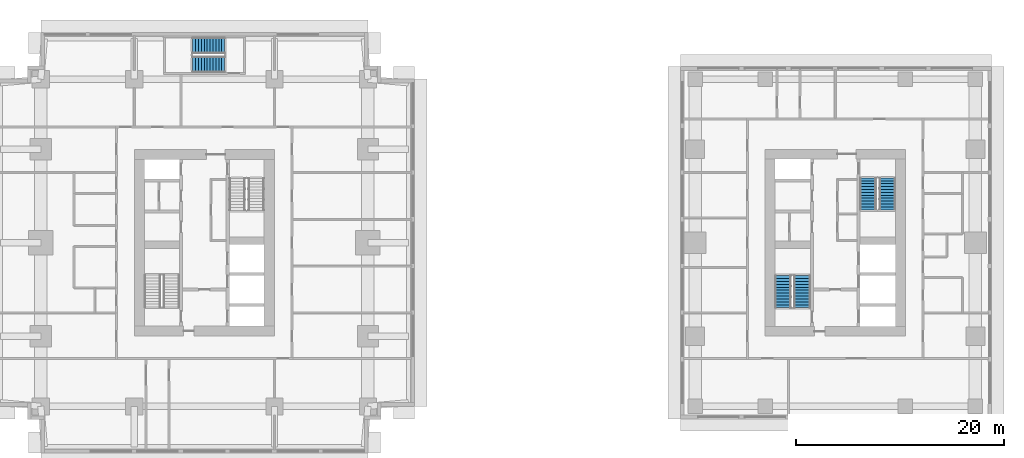
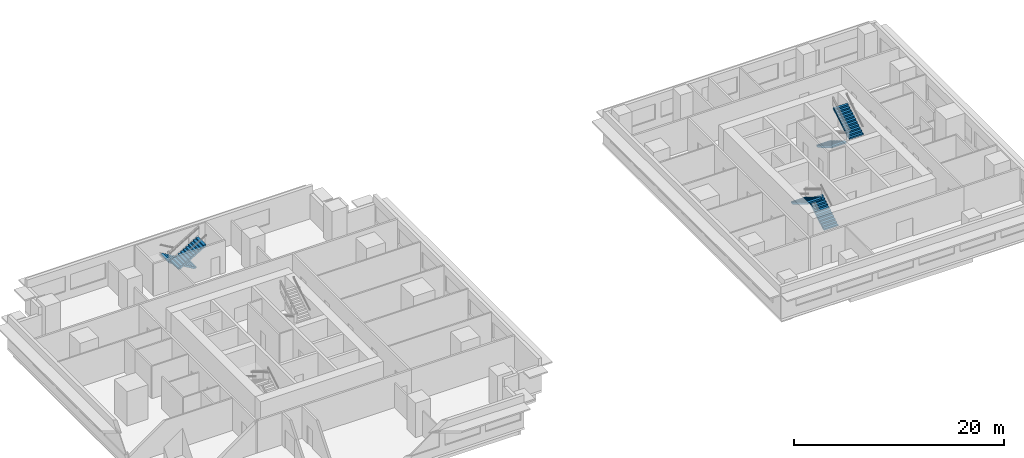
# One storey, part 9 of 11: 6 stair flights, 3 elements without a shape of their own.
"""IFC4 building model written with IfcOpenShell, lengths in metres."""

from ifc_helpers import new_model, si_unit, direction, frame, origin, place, context, subcontext, project, spatial, polyline, outline, extrude, material, type_object, element, aggregate, save


model = new_model("IFC4")

# Units and contexts
model_context = context("Model", 3, precision=1e-05, world=origin(), true_north=direction((0.0, 1.0)))
body_context = subcontext(model_context, "Body", "Model", "MODEL_VIEW")
ifc_project = project(units=[si_unit("LENGTHUNIT", "METRE"), si_unit("AREAUNIT", "SQUARE_METRE"), si_unit("VOLUMEUNIT", "CUBIC_METRE"), si_unit("PLANEANGLEUNIT", "RADIAN"), si_unit("MASSUNIT", "GRAM", prefix="KILO")], contexts=[model_context])

# Site, building, storey
site_placement = place(None, origin())
site = spatial("IfcSite", under=ifc_project, at=site_placement, CompositionType="ELEMENT")
building_placement = place(site_placement, origin())
building = spatial("IfcBuilding", under=site, at=building_placement, Name="Namib Vertical Campus", CompositionType="ELEMENT")
storey_placement = place(building_placement, frame((0.0, 0.0, 177.0)))
storey = spatial("IfcBuildingStorey", under=building, at=storey_placement, Name="L41", CompositionType="ELEMENT", Elevation=177.0)

# Stair, stair flights
ifc_material_1 = material(Name="Concrete C40/50 precast", Category="concrete")
stair_type_1 = type_object("IfcStairType", Name="Exit stair 4000 rise 24 risers 3350 wide", PredefinedType="HALF_TURN_STAIR", material=ifc_material_1)
stair_1_placement = place(storey_placement, origin())
stair_1 = element("IfcStair", 1, at=stair_1_placement, inside=storey, type_object=stair_type_1, Name="Exit stair A-S3 L41", PredefinedType="HALF_TURN_STAIR")
ifc_material_2 = material(Name="Concrete C40/50 precast", Category="concrete")
stair_flight_type_1 = type_object("IfcStairFlightType", Name="Stair flight 12 risers 167 1525 wide", PredefinedType="STRAIGHT", material=ifc_material_2)
stair_flight_1_placement = place(storey_placement, frame((22.199951171875, 39.237548828125, 0.0), z_axis=(0.0, 0.0, 1.0), x_axis=(-1.0, 0.0, 0.0)))
stair_flight_1 = element("IfcStairFlight", 2, at=stair_flight_1_placement, type_object=stair_flight_type_1, Name="A-S3 flight 1", NumberOfRisers=12, NumberOfTreads=11, PredefinedType="STRAIGHT", RiserHeight=0.166666667, TreadLength=0.28, context=body_context, shape_type="SweptSolid", body=[
    extrude(outline(polyline([(0.0, 0.0), (0.0, 0.166748046875), (0.280029296875, 0.166748046875), (0.280029296875, 0.333251953125), (0.56005859375, 0.333251953125), (0.56005859375, 0.5), (0.840087890625, 0.5), (0.840087890625, 0.666748046875), (1.1201171875, 0.666748046875), (1.1201171875, 0.833251953125), (1.39990234375, 0.833251953125), (1.39990234375, 1.0), (1.679931640625, 1.0), (1.679931640625, 1.166748046875), (1.9599609375, 1.166748046875), (1.9599609375, 1.333251953125), (2.239990234375, 1.333251953125), (2.239990234375, 1.5), (2.52001953125, 1.5), (2.52001953125, 1.666748046875), (2.800048828125, 1.666748046875), (2.800048828125, 1.833251953125), (3.080078125, 1.833251953125), (3.080078125, 2.0), (3.080078125, 1.658935546875), (0.29296875, 0.0), (0.0, 0.0)])), frame((0.0, 0.762451171875, 0.0), z_axis=(0.0, -1.0, 0.0), x_axis=(1.0, 0.0, 0.0)), (0.0, 0.0, 1.0), 1.52490234375),
])
stair_flight_2_placement = place(storey_placement, frame((19.1201171875, 37.41259765625, 2.0), z_axis=(0.0, 0.0, 1.0), x_axis=(1.0, 0.0, 0.0)))
stair_flight_2 = element("IfcStairFlight", 3, at=stair_flight_2_placement, type_object=stair_flight_type_1, Name="A-S3 flight 2", NumberOfRisers=12, NumberOfTreads=11, PredefinedType="STRAIGHT", RiserHeight=0.166666667, TreadLength=0.28, context=body_context, shape_type="SweptSolid", body=[
    extrude(outline(polyline([(0.0, 0.0), (0.0, 0.166748046875), (0.280029296875, 0.166748046875), (0.280029296875, 0.333251953125), (0.56005859375, 0.333251953125), (0.56005859375, 0.5), (0.840087890625, 0.5), (0.840087890625, 0.666748046875), (1.1201171875, 0.666748046875), (1.1201171875, 0.833251953125), (1.39990234375, 0.833251953125), (1.39990234375, 1.0), (1.679931640625, 1.0), (1.679931640625, 1.166748046875), (1.9599609375, 1.166748046875), (1.9599609375, 1.333251953125), (2.239990234375, 1.333251953125), (2.239990234375, 1.5), (2.52001953125, 1.5), (2.52001953125, 1.666748046875), (2.800048828125, 1.666748046875), (2.800048828125, 1.833251953125), (3.080078125, 1.833251953125), (3.080078125, 2.0), (3.080078125, 1.658935546875), (0.29296875, 0.0), (0.0, 0.0)])), frame((0.0, 0.762451171875, 0.0), z_axis=(0.0, -1.0, 0.0), x_axis=(1.0, 0.0, 0.0)), (0.0, 0.0, 1.0), 1.52490234375),
])
aggregate(stair_1, [stair_flight_1, stair_flight_2])

ifc_material_3 = material(Name="Concrete C40/50 precast", Category="concrete")
stair_type_2 = type_object("IfcStairType", Name="Exit stair 4000 rise 24 risers 3400 wide", PredefinedType="HALF_TURN_STAIR", material=ifc_material_3)
stair_2_placement = place(storey_placement, origin())
stair_2 = element("IfcStair", 4, at=stair_2_placement, inside=storey, type_object=stair_type_2, Name="Exit stair B-S1 L41", PredefinedType="HALF_TURN_STAIR")
ifc_material_4 = material(Name="Concrete C40/50 precast", Category="concrete")
stair_flight_type_2 = type_object("IfcStairFlightType", Name="Stair flight 12 risers 167 1550 wide", PredefinedType="STRAIGHT", material=ifc_material_4)
stair_flight_3_placement = place(storey_placement, frame((77.824951171875, 14.0, 0.0), z_axis=(0.0, 0.0, 1.0), x_axis=(0.0, 1.0, 0.0)))
stair_flight_3 = element("IfcStairFlight", 5, at=stair_flight_3_placement, type_object=stair_flight_type_2, Name="B-S1 flight 1", NumberOfRisers=12, NumberOfTreads=11, PredefinedType="STRAIGHT", RiserHeight=0.166666667, TreadLength=0.28, context=body_context, shape_type="SweptSolid", body=[
    extrude(outline(polyline([(0.0, 0.0), (0.0, 0.166748046875), (0.280029296875, 0.166748046875), (0.280029296875, 0.333251953125), (0.56005859375, 0.333251953125), (0.56005859375, 0.5), (0.840087890625, 0.5), (0.840087890625, 0.666748046875), (1.1201171875, 0.666748046875), (1.1201171875, 0.833251953125), (1.39990234375, 0.833251953125), (1.39990234375, 1.0), (1.679931640625, 1.0), (1.679931640625, 1.166748046875), (1.9599609375, 1.166748046875), (1.9599609375, 1.333251953125), (2.239990234375, 1.333251953125), (2.239990234375, 1.5), (2.52001953125, 1.5), (2.52001953125, 1.666748046875), (2.800048828125, 1.666748046875), (2.800048828125, 1.833251953125), (3.080078125, 1.833251953125), (3.080078125, 2.0), (3.080078125, 1.658935546875), (0.29296875, 0.0), (0.0, 0.0)])), frame((0.0, 0.77490234375, 0.0), z_axis=(0.0, -1.0, 0.0), x_axis=(1.0, 0.0, 0.0)), (0.0, 0.0, 1.0), 1.550048828125),
])
stair_flight_4_placement = place(storey_placement, frame((75.97509765625, 17.080078125, 2.0), z_axis=(0.0, 0.0, 1.0), x_axis=(0.0, -1.0, 0.0)))
stair_flight_4 = element("IfcStairFlight", 6, at=stair_flight_4_placement, type_object=stair_flight_type_2, Name="B-S1 flight 2", NumberOfRisers=12, NumberOfTreads=11, PredefinedType="STRAIGHT", RiserHeight=0.166666667, TreadLength=0.28, context=body_context, shape_type="SweptSolid", body=[
    extrude(outline(polyline([(0.0, 0.0), (0.0, 0.166748046875), (0.280029296875, 0.166748046875), (0.280029296875, 0.333251953125), (0.56005859375, 0.333251953125), (0.56005859375, 0.5), (0.840087890625, 0.5), (0.840087890625, 0.666748046875), (1.1201171875, 0.666748046875), (1.1201171875, 0.833251953125), (1.39990234375, 0.833251953125), (1.39990234375, 1.0), (1.679931640625, 1.0), (1.679931640625, 1.166748046875), (1.9599609375, 1.166748046875), (1.9599609375, 1.333251953125), (2.239990234375, 1.333251953125), (2.239990234375, 1.5), (2.52001953125, 1.5), (2.52001953125, 1.666748046875), (2.800048828125, 1.666748046875), (2.800048828125, 1.833251953125), (3.080078125, 1.833251953125), (3.080078125, 2.0), (3.080078125, 1.658935546875), (0.29296875, 0.0), (0.0, 0.0)])), frame((0.0, 0.77490234375, 0.0), z_axis=(0.0, -1.0, 0.0), x_axis=(1.0, 0.0, 0.0)), (0.0, 0.0, 1.0), 1.550048828125),
])
aggregate(stair_2, [stair_flight_3, stair_flight_4])

stair_3_placement = place(storey_placement, origin())
stair_3 = element("IfcStair", 7, at=stair_3_placement, inside=storey, type_object=stair_type_2, Name="Exit stair B-S2 L41", PredefinedType="HALF_TURN_STAIR")
stair_flight_5_placement = place(storey_placement, frame((84.175048828125, 26.5, 0.0), z_axis=(0.0, 0.0, 1.0), x_axis=(0.0, -1.0, 0.0)))
stair_flight_5 = element("IfcStairFlight", 8, at=stair_flight_5_placement, type_object=stair_flight_type_2, Name="B-S2 flight 1", NumberOfRisers=12, NumberOfTreads=11, PredefinedType="STRAIGHT", RiserHeight=0.166666667, TreadLength=0.28, context=body_context, shape_type="SweptSolid", body=[
    extrude(outline(polyline([(0.0, 0.0), (0.0, 0.166748046875), (0.280029296875, 0.166748046875), (0.280029296875, 0.333251953125), (0.56005859375, 0.333251953125), (0.56005859375, 0.5), (0.840087890625, 0.5), (0.840087890625, 0.666748046875), (1.1201171875, 0.666748046875), (1.1201171875, 0.833251953125), (1.39990234375, 0.833251953125), (1.39990234375, 1.0), (1.679931640625, 1.0), (1.679931640625, 1.166748046875), (1.9599609375, 1.166748046875), (1.9599609375, 1.333251953125), (2.239990234375, 1.333251953125), (2.239990234375, 1.5), (2.52001953125, 1.5), (2.52001953125, 1.666748046875), (2.800048828125, 1.666748046875), (2.800048828125, 1.833251953125), (3.080078125, 1.833251953125), (3.080078125, 2.0), (3.080078125, 1.658935546875), (0.29296875, 0.0), (0.0, 0.0)])), frame((0.0, 0.77490234375, 0.0), z_axis=(0.0, -1.0, 0.0), x_axis=(1.0, 0.0, 0.0)), (0.0, 0.0, 1.0), 1.550048828125),
])
stair_flight_6_placement = place(storey_placement, frame((86.02490234375, 23.419921875, 2.0), z_axis=(0.0, 0.0, 1.0), x_axis=(0.0, 1.0, 0.0)))
stair_flight_6 = element("IfcStairFlight", 9, at=stair_flight_6_placement, type_object=stair_flight_type_2, Name="B-S2 flight 2", NumberOfRisers=12, NumberOfTreads=11, PredefinedType="STRAIGHT", RiserHeight=0.166666667, TreadLength=0.28, context=body_context, shape_type="SweptSolid", body=[
    extrude(outline(polyline([(0.0, 0.0), (0.0, 0.166748046875), (0.280029296875, 0.166748046875), (0.280029296875, 0.333251953125), (0.56005859375, 0.333251953125), (0.56005859375, 0.5), (0.840087890625, 0.5), (0.840087890625, 0.666748046875), (1.1201171875, 0.666748046875), (1.1201171875, 0.833251953125), (1.39990234375, 0.833251953125), (1.39990234375, 1.0), (1.679931640625, 1.0), (1.679931640625, 1.166748046875), (1.9599609375, 1.166748046875), (1.9599609375, 1.333251953125), (2.239990234375, 1.333251953125), (2.239990234375, 1.5), (2.52001953125, 1.5), (2.52001953125, 1.666748046875), (2.800048828125, 1.666748046875), (2.800048828125, 1.833251953125), (3.080078125, 1.833251953125), (3.080078125, 2.0), (3.080078125, 1.658935546875), (0.29296875, 0.0), (0.0, 0.0)])), frame((0.0, 0.77490234375, 0.0), z_axis=(0.0, -1.0, 0.0), x_axis=(1.0, 0.0, 0.0)), (0.0, 0.0, 1.0), 1.550048828125),
])
aggregate(stair_3, [stair_flight_5, stair_flight_6])

save(model, "model.ifc")
